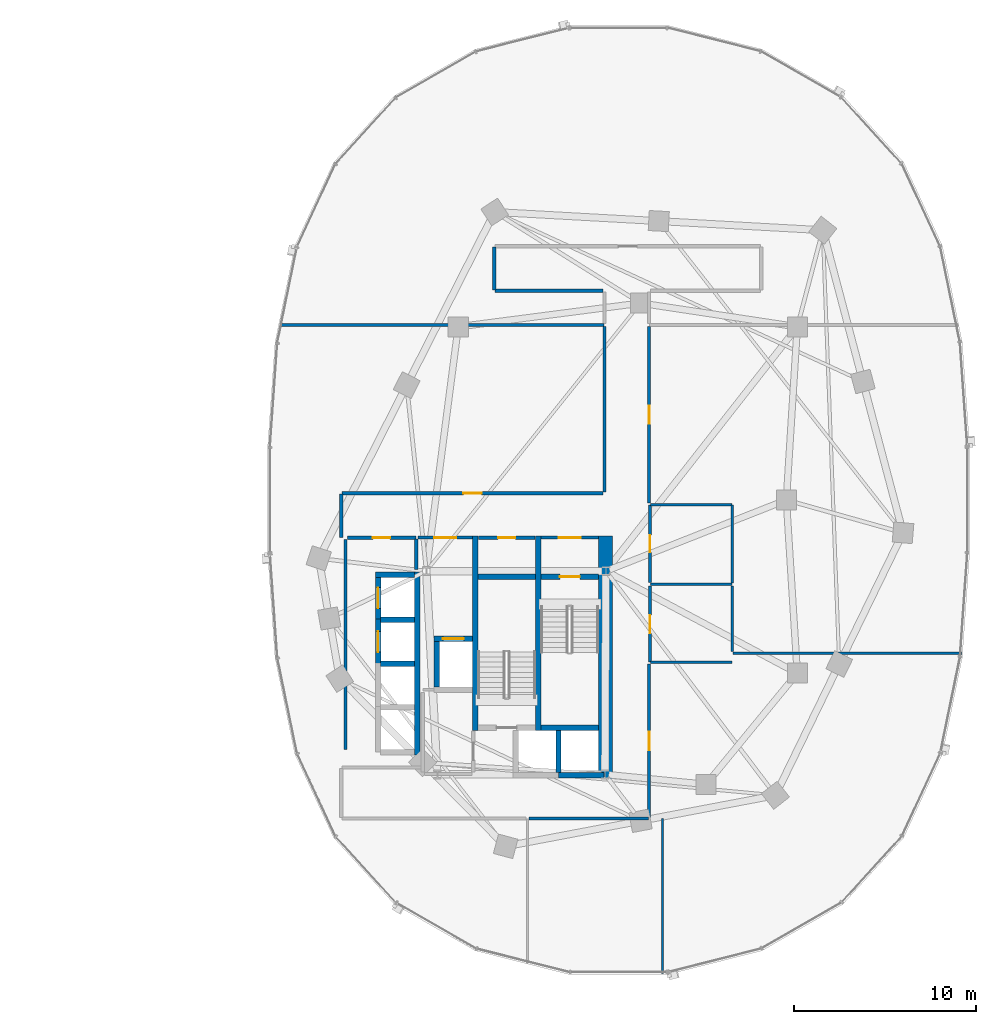
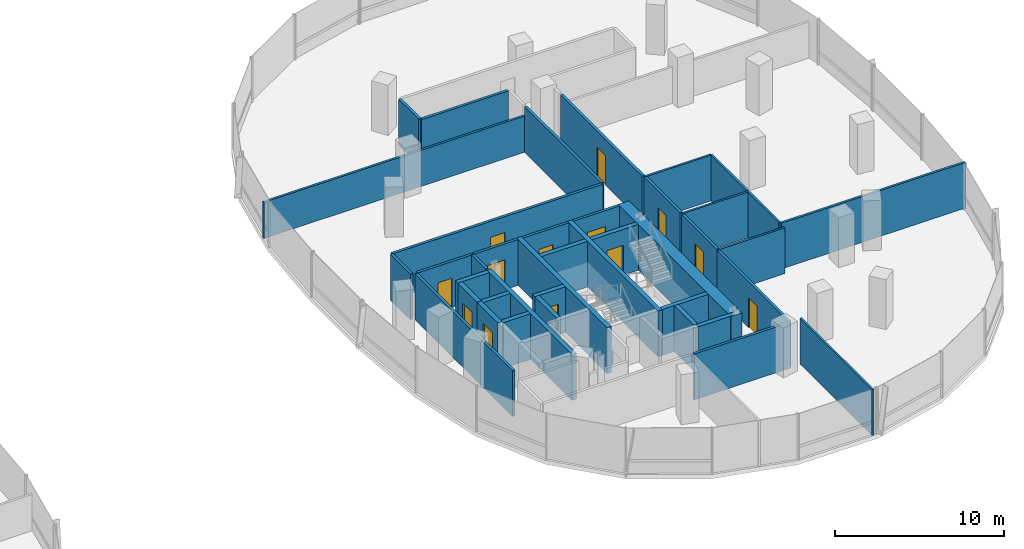
# One storey, part 13 of 21: 40 walls, 13 doors, 13 openings.
"""IFC4 building model written with IfcOpenShell, lengths in metres."""

from ifc_helpers import new_model, si_unit, direction, frame, frame_2d, origin, place, context, subcontext, project, spatial, rectangle, extrude, material, layer, layer_set, type_object, element, fill, save


model = new_model("IFC4")

# Units and contexts
model_context = context("Model", 3, precision=1e-05, world=origin(), true_north=direction((0.0, 1.0)))
body_context = subcontext(model_context, "Body", "Model", "MODEL_VIEW")
ifc_project = project(units=[si_unit("LENGTHUNIT", "METRE"), si_unit("AREAUNIT", "SQUARE_METRE"), si_unit("VOLUMEUNIT", "CUBIC_METRE"), si_unit("PLANEANGLEUNIT", "RADIAN"), si_unit("MASSUNIT", "GRAM", prefix="KILO"), si_unit("THERMODYNAMICTEMPERATUREUNIT", "KELVIN"), si_unit("POWERUNIT", "WATT")], contexts=[model_context])

# Site, building, storey
site_placement = place(None, origin())
site = spatial("IfcSite", under=ifc_project, at=site_placement, CompositionType="ELEMENT")
building_placement = place(site_placement, origin())
building = spatial("IfcBuilding", under=site, at=building_placement, Name="Cundina Bronze Exchange", CompositionType="ELEMENT")
storey_placement = place(building_placement, frame((0.0, 0.0, 107.0)))
storey = spatial("IfcBuildingStorey", under=building, at=storey_placement, Name="L27", CompositionType="ELEMENT", Elevation=107.0)

# Wall
ifc_material_1 = material(Name="Gypsum Fireboard Partition EI120")
ifc_layer_1 = layer(ifc_material_1, 0.179931640625, Name="Gypsum Fireboard Partition EI120")
ifc_layer_set_1 = layer_set([ifc_layer_1], Name="Gypsum Fireboard Partition EI120")
wall_type_1 = type_object("IfcWallType", Name="WL-COR-180", PredefinedType="PARTITIONING", material=ifc_layer_set_1)
wall_1_placement = place(storey_placement, frame((20.889892578125, -3.800048828125, 0.0), z_axis=(0.0, 0.0, 1.0), x_axis=(0.0, 1.0, 0.0)))
element("IfcWall", 1, at=wall_1_placement, inside=storey, type_object=wall_type_1, Name="L27 E Firefighting Lobby Side Wall", PredefinedType="PARTITIONING", context=body_context, shape_type="SweptSolid", body=[
    extrude(rectangle(XDim=1.650146484375, YDim=0.179931640625, at=frame_2d((0.8251953125, 0.0))), origin(), (0.0, 0.0, 1.0), 3.300048828125),
])

# Wall, opening, door
wall_2_placement = place(storey_placement, frame((20.97998046875, -2.06005859375, 0.0), z_axis=(0.0, 0.0, 1.0), x_axis=(1.0, 0.0, 0.0)))
wall_2 = element("IfcWall", 2, at=wall_2_placement, inside=storey, type_object=wall_type_1, Name="L27 E Firefighting Lobby Exit Wall", PredefinedType="PARTITIONING", context=body_context, shape_type="SweptSolid", body=[
    extrude(rectangle(XDim=3.0, YDim=0.179931640625, at=frame_2d((1.5, 0.0))), origin(), (0.0, 0.0, 1.0), 3.300048828125),
])
opening_1_placement = place(wall_2_placement, frame((0.89990234375, 0.0, 0.0)))
opening_1 = element("IfcOpeningElement", 3, at=opening_1_placement, cuts=wall_2, Name="Opening DF-01", PredefinedType="OPENING", context=body_context, shape_type="SweptSolid", body=[
    extrude(rectangle(XDim=1.199951171875, YDim=2.14990234375, at=frame_2d((0.60009765625, 1.074951171875))), frame((0.0, 0.099853515625, 0.0), z_axis=(0.0, -1.0, 0.0), x_axis=(1.0, 0.0, 0.0)), (0.0, 0.0, 1.0), 0.199951171875),
])
ifc_material_2 = material(Name="Steel ASTM A36 Painted", Category="steel")
door_type_1 = type_object("IfcDoorType", Name="DR-FFL-1200", OperationType="NOTDEFINED", PredefinedType="DOOR", material=ifc_material_2)
door_1_placement = place(opening_1_placement, origin())
door_1 = element("IfcDoor", 4, at=door_1_placement, inside=storey, type_object=door_type_1, Name="L27 E Firefighting Lobby Door", OperationType="SINGLE_SWING_LEFT", OverallHeight=2.14990234375, OverallWidth=1.199951171875, PredefinedType="DOOR", context=body_context, shape_type="SweptSolid", body=[
    extrude(rectangle(XDim=1.199951171875, YDim=2.14990234375, at=frame_2d((0.60009765625, 1.074951171875))), frame((0.0, 0.02490234375, 0.0), z_axis=(0.0, -1.0, 0.0), x_axis=(1.0, 0.0, 0.0)), (0.0, 0.0, 1.0), 0.050048828125),
])
fill(opening_1, door_1)

wall_3_placement = place(storey_placement, frame((27.739990234375, -2.06005859375, 0.0), z_axis=(0.0, 0.0, 1.0), x_axis=(1.0, 0.0, 0.0)))
wall_3 = element("IfcWall", 5, at=wall_3_placement, inside=storey, type_object=wall_type_1, Name="L27 E Stair Vestibule Exit Wall", PredefinedType="PARTITIONING", context=body_context, shape_type="SweptSolid", body=[
    extrude(rectangle(XDim=3.159912109375, YDim=0.179931640625, at=frame_2d((1.580078125, 0.0))), origin(), (0.0, 0.0, 1.0), 3.300048828125),
])
opening_2_placement = place(wall_3_placement, frame((0.97998046875, 0.0, 0.0)))
opening_2 = element("IfcOpeningElement", 6, at=opening_2_placement, cuts=wall_3, Name="Opening DF-01", PredefinedType="OPENING", context=body_context, shape_type="SweptSolid", body=[
    extrude(rectangle(XDim=1.199951171875, YDim=2.14990234375, at=frame_2d((0.60009765625, 1.074951171875))), frame((0.0, 0.099853515625, 0.0), z_axis=(0.0, -1.0, 0.0), x_axis=(1.0, 0.0, 0.0)), (0.0, 0.0, 1.0), 0.199951171875),
])
door_2_placement = place(opening_2_placement, origin())
door_2 = element("IfcDoor", 7, at=door_2_placement, inside=storey, type_object=door_type_1, Name="L27 E Stair Vestibule Door", OperationType="SINGLE_SWING_RIGHT", OverallHeight=2.14990234375, OverallWidth=1.199951171875, PredefinedType="DOOR", context=body_context, shape_type="SweptSolid", body=[
    extrude(rectangle(XDim=1.199951171875, YDim=2.14990234375, at=frame_2d((0.60009765625, 1.074951171875))), frame((0.0, 0.02490234375, 0.0), z_axis=(0.0, -1.0, 0.0), x_axis=(1.0, 0.0, 0.0)), (0.0, 0.0, 1.0), 0.050048828125),
])
fill(opening_2, door_2)

# Wall
wall_4_placement = place(storey_placement, frame((17.02001953125, -13.679931640625, 0.0), z_axis=(0.0, 0.0, 1.0), x_axis=(0.0, 1.0, 0.0)))
element("IfcWall", 8, at=wall_4_placement, inside=storey, type_object=wall_type_1, Name="L27 Interior Partition 037", PredefinedType="PARTITIONING", context=body_context, shape_type="SweptSolid", body=[
    extrude(rectangle(XDim=11.510009765625, YDim=0.179931640625, at=frame_2d((5.7548828125, 0.0))), origin(), (0.0, 0.0, 1.0), 3.300048828125),
])

# Wall, opening, door
wall_5_placement = place(storey_placement, frame((17.1201171875, -2.070068359375, 0.0), z_axis=(0.0, 0.0, 1.0), x_axis=(1.0, 0.0, 0.0)))
wall_5 = element("IfcWall", 9, at=wall_5_placement, inside=storey, type_object=wall_type_1, Name="L27 Interior Partition 038", PredefinedType="PARTITIONING", context=body_context, shape_type="SweptSolid", body=[
    extrude(rectangle(XDim=3.75, YDim=0.179931640625, at=frame_2d((1.875, 0.0))), origin(), (0.0, 0.0, 1.0), 3.300048828125),
])
opening_3_placement = place(wall_5_placement, frame((1.39990234375, 0.0, 0.0)))
opening_3 = element("IfcOpeningElement", 10, at=opening_3_placement, cuts=wall_5, Name="Opening DW-01", PredefinedType="OPENING", context=body_context, shape_type="SweptSolid", body=[
    extrude(rectangle(XDim=0.949951171875, YDim=2.10009765625, at=frame_2d((0.47509765625, 1.050048828125))), frame((0.0, 0.099853515625, 0.0), z_axis=(0.0, -1.0, 0.0), x_axis=(1.0, 0.0, 0.0)), (0.0, 0.0, 1.0), 0.199951171875),
])
ifc_material_3 = material(Name="Solid Andean Oak Timber Grade A", Category="wood")
door_type_2 = type_object("IfcDoorType", Name="DR-WC-950", OperationType="NOTDEFINED", PredefinedType="DOOR", material=ifc_material_3)
door_3_placement = place(opening_3_placement, origin())
door_3 = element("IfcDoor", 11, at=door_3_placement, inside=storey, type_object=door_type_2, Name="L27 Interior Door 038", OperationType="SINGLE_SWING_LEFT", OverallHeight=2.10009765625, OverallWidth=0.949951171875, PredefinedType="DOOR", context=body_context, shape_type="SweptSolid", body=[
    extrude(rectangle(XDim=0.949951171875, YDim=2.10009765625, at=frame_2d((0.47509765625, 1.050048828125))), frame((0.0, 0.02490234375, 0.0), z_axis=(0.0, -1.0, 0.0), x_axis=(1.0, 0.0, 0.0)), (0.0, 0.0, 1.0), 0.050048828125),
])
fill(opening_3, door_3)

wall_6_placement = place(storey_placement, frame((24.300048828125, -2.070068359375, 0.0), z_axis=(0.0, 0.0, 1.0), x_axis=(1.0, 0.0, 0.0)))
wall_6 = element("IfcWall", 12, at=wall_6_placement, inside=storey, type_object=wall_type_1, Name="L27 Interior Partition 042", PredefinedType="PARTITIONING", context=body_context, shape_type="SweptSolid", body=[
    extrude(rectangle(XDim=3.119873046875, YDim=0.179931640625, at=frame_2d((1.56005859375, 0.0))), origin(), (0.0, 0.0, 1.0), 3.300048828125),
])
opening_4_placement = place(wall_6_placement, frame((1.0849609375, 0.0, 0.0)))
opening_4 = element("IfcOpeningElement", 13, at=opening_4_placement, cuts=wall_6, Name="Opening DW-01", PredefinedType="OPENING", context=body_context, shape_type="SweptSolid", body=[
    extrude(rectangle(XDim=0.949951171875, YDim=2.10009765625, at=frame_2d((0.47509765625, 1.050048828125))), frame((0.0, 0.099853515625, 0.0), z_axis=(0.0, -1.0, 0.0), x_axis=(1.0, 0.0, 0.0)), (0.0, 0.0, 1.0), 0.199951171875),
])
door_4_placement = place(opening_4_placement, origin())
door_4 = element("IfcDoor", 14, at=door_4_placement, inside=storey, type_object=door_type_2, Name="L27 Interior Door 042", OperationType="SINGLE_SWING_RIGHT", OverallHeight=2.10009765625, OverallWidth=0.949951171875, PredefinedType="DOOR", context=body_context, shape_type="SweptSolid", body=[
    extrude(rectangle(XDim=0.949951171875, YDim=2.10009765625, at=frame_2d((0.47509765625, 1.050048828125))), frame((0.0, 0.02490234375, 0.0), z_axis=(0.0, -1.0, 0.0), x_axis=(1.0, 0.0, 0.0)), (0.0, 0.0, 1.0), 0.050048828125),
])
fill(opening_4, door_4)

wall_7_placement = place(storey_placement, frame((33.719970703125, -4.530029296875, 0.0), z_axis=(0.0, 0.0, 1.0), x_axis=(0.0, 1.0, 0.0)))
wall_7 = element("IfcWall", 15, at=wall_7_placement, inside=storey, type_object=wall_type_1, Name="L27 Interior Partition 049", PredefinedType="PARTITIONING", context=body_context, shape_type="SweptSolid", body=[
    extrude(rectangle(XDim=4.260009765625, YDim=0.179931640625, at=frame_2d((2.1298828125, 0.0))), origin(), (0.0, 0.0, 1.0), 3.300048828125),
])
opening_5_placement = place(wall_7_placement, frame((1.655029296875, 0.0, 0.0)))
opening_5 = element("IfcOpeningElement", 16, at=opening_5_placement, cuts=wall_7, Name="Opening DW-01", PredefinedType="OPENING", context=body_context, shape_type="SweptSolid", body=[
    extrude(rectangle(XDim=0.949951171875, YDim=2.10009765625, at=frame_2d((0.47509765625, 1.050048828125))), frame((0.0, 0.099853515625, 0.0), z_axis=(0.0, -1.0, 0.0), x_axis=(1.0, 0.0, 0.0)), (0.0, 0.0, 1.0), 0.199951171875),
])
door_5_placement = place(opening_5_placement, origin())
door_5 = element("IfcDoor", 17, at=door_5_placement, inside=storey, type_object=door_type_2, Name="L27 Interior Door 049", OperationType="SINGLE_SWING_LEFT", OverallHeight=2.10009765625, OverallWidth=0.949951171875, PredefinedType="DOOR", context=body_context, shape_type="SweptSolid", body=[
    extrude(rectangle(XDim=0.949951171875, YDim=2.10009765625, at=frame_2d((0.47509765625, 1.050048828125))), frame((0.0, 0.02490234375, 0.0), z_axis=(0.0, -1.0, 0.0), x_axis=(1.0, 0.0, 0.0)), (0.0, 0.0, 1.0), 0.050048828125),
])
fill(opening_5, door_5)

wall_8_placement = place(storey_placement, frame((33.719970703125, -8.889892578125, 0.0), z_axis=(0.0, 0.0, 1.0), x_axis=(0.0, 1.0, 0.0)))
wall_8 = element("IfcWall", 18, at=wall_8_placement, inside=storey, type_object=wall_type_1, Name="L27 Interior Partition 050", PredefinedType="PARTITIONING", context=body_context, shape_type="SweptSolid", body=[
    extrude(rectangle(XDim=4.159912109375, YDim=0.179931640625, at=frame_2d((2.080078125, 0.0))), origin(), (0.0, 0.0, 1.0), 3.300048828125),
])
opening_6_placement = place(wall_8_placement, frame((1.580078125, 0.0, 0.0)))
opening_6 = element("IfcOpeningElement", 19, at=opening_6_placement, cuts=wall_8, Name="Opening DO-01", PredefinedType="OPENING", context=body_context, shape_type="SweptSolid", body=[
    extrude(rectangle(XDim=1.0, YDim=2.14990234375, at=frame_2d((0.5, 1.074951171875))), frame((0.0, 0.099853515625, 0.0), z_axis=(0.0, -1.0, 0.0), x_axis=(1.0, 0.0, 0.0)), (0.0, 0.0, 1.0), 0.199951171875),
])
door_type_3 = type_object("IfcDoorType", Name="DR-OFF-1000", OperationType="NOTDEFINED", PredefinedType="DOOR", material=ifc_material_3)
door_6_placement = place(opening_6_placement, origin())
door_6 = element("IfcDoor", 20, at=door_6_placement, inside=storey, type_object=door_type_3, Name="L27 Interior Door 050", OperationType="SINGLE_SWING_LEFT", OverallHeight=2.14990234375, OverallWidth=1.0, PredefinedType="DOOR", context=body_context, shape_type="SweptSolid", body=[
    extrude(rectangle(XDim=1.0, YDim=2.14990234375, at=frame_2d((0.5, 1.074951171875))), frame((0.0, 0.02490234375, 0.0), z_axis=(0.0, -1.0, 0.0), x_axis=(1.0, 0.0, 0.0)), (0.0, 0.0, 1.0), 0.050048828125),
])
fill(opening_6, door_6)

wall_9_placement = place(storey_placement, frame((33.669921875, -17.428466796875, 0.0), z_axis=(0.0, 0.0, 1.0), x_axis=(0.0, 1.0, 0.0)))
wall_9 = element("IfcWall", 21, at=wall_9_placement, inside=storey, type_object=wall_type_1, Name="L27 Interior Partition 056", PredefinedType="PARTITIONING", context=body_context, shape_type="SweptSolid", body=[
    extrude(rectangle(XDim=8.427001953125, YDim=0.179931640625, at=frame_2d((4.21337890625, 0.0))), origin(), (0.0, 0.0, 1.0), 3.300048828125),
])
opening_7_placement = place(wall_9_placement, frame((3.71337890625, 0.0, 0.0)))
opening_7 = element("IfcOpeningElement", 22, at=opening_7_placement, cuts=wall_9, Name="Opening DO-01", PredefinedType="OPENING", context=body_context, shape_type="SweptSolid", body=[
    extrude(rectangle(XDim=1.0, YDim=2.14990234375, at=frame_2d((0.5, 1.074951171875))), frame((0.0, 0.099853515625, 0.0), z_axis=(0.0, -1.0, 0.0), x_axis=(1.0, 0.0, 0.0)), (0.0, 0.0, 1.0), 0.199951171875),
])
door_7_placement = place(opening_7_placement, origin())
door_7 = element("IfcDoor", 23, at=door_7_placement, inside=storey, type_object=door_type_3, Name="L27 Interior Door 056", OperationType="SINGLE_SWING_LEFT", OverallHeight=2.14990234375, OverallWidth=1.0, PredefinedType="DOOR", context=body_context, shape_type="SweptSolid", body=[
    extrude(rectangle(XDim=1.0, YDim=2.14990234375, at=frame_2d((0.5, 1.074951171875))), frame((0.0, 0.02490234375, 0.0), z_axis=(0.0, -1.0, 0.0), x_axis=(1.0, 0.0, 0.0)), (0.0, 0.0, 1.0), 0.050048828125),
])
fill(opening_7, door_7)

# Wall
wall_10_placement = place(storey_placement, frame((27.090087890625, -17.469970703125, 0.0), z_axis=(0.0, 0.0, 1.0), x_axis=(1.0, 0.0, 0.0)))
element("IfcWall", 24, at=wall_10_placement, inside=storey, type_object=wall_type_1, Name="L27 Interior Partition 057", PredefinedType="PARTITIONING", context=body_context, shape_type="SweptSolid", body=[
    extrude(rectangle(XDim=6.538330078125, YDim=0.179931640625, at=frame_2d((3.26904296875, 0.0))), origin(), (0.0, 0.0, 1.0), 3.300048828125),
])

# Wall, opening, door
wall_11_placement = place(storey_placement, frame((31.14990234375, 0.3701171875, 0.0), z_axis=(0.0, 0.0, 1.0), x_axis=(-1.0, 0.0, 0.0)))
wall_11 = element("IfcWall", 25, at=wall_11_placement, inside=storey, type_object=wall_type_1, Name="L27 Interior Partition 058", PredefinedType="PARTITIONING", context=body_context, shape_type="SweptSolid", body=[
    extrude(rectangle(XDim=14.328369140625, YDim=0.179931640625, at=frame_2d((7.1640625, 0.0))), origin(), (0.0, 0.0, 1.0), 3.300048828125),
])
opening_8_placement = place(wall_11_placement, frame((6.664306640625, 0.0, 0.0)))
opening_8 = element("IfcOpeningElement", 26, at=opening_8_placement, cuts=wall_11, Name="Opening DO-01", PredefinedType="OPENING", context=body_context, shape_type="SweptSolid", body=[
    extrude(rectangle(XDim=1.0, YDim=2.14990234375, at=frame_2d((0.5, 1.074951171875))), frame((0.0, 0.099853515625, 0.0), z_axis=(0.0, -1.0, 0.0), x_axis=(1.0, 0.0, 0.0)), (0.0, 0.0, 1.0), 0.199951171875),
])
door_8_placement = place(opening_8_placement, origin())
door_8 = element("IfcDoor", 27, at=door_8_placement, inside=storey, type_object=door_type_3, Name="L27 Interior Door 058", OperationType="SINGLE_SWING_LEFT", OverallHeight=2.14990234375, OverallWidth=1.0, PredefinedType="DOOR", context=body_context, shape_type="SweptSolid", body=[
    extrude(rectangle(XDim=1.0, YDim=2.14990234375, at=frame_2d((0.5, 1.074951171875))), frame((0.0, 0.02490234375, 0.0), z_axis=(0.0, -1.0, 0.0), x_axis=(1.0, 0.0, 0.0)), (0.0, 0.0, 1.0), 0.050048828125),
])
fill(opening_8, door_8)

# Walls
wall_12_placement = place(storey_placement, frame((31.22998046875, 9.510009765625, 0.0), z_axis=(0.0, 0.0, 1.0), x_axis=(0.0, -1.0, 0.0)))
element("IfcWall", 28, at=wall_12_placement, inside=storey, type_object=wall_type_1, Name="L27 Interior Partition 060", PredefinedType="PARTITIONING", context=body_context, shape_type="SweptSolid", body=[
    extrude(rectangle(XDim=9.06005859375, YDim=0.179931640625, at=frame_2d((4.530029296875, 0.0))), origin(), (0.0, 0.0, 1.0), 3.300048828125),
])
wall_13_placement = place(storey_placement, frame((16.780029296875, 0.32861328125, 0.0), z_axis=(0.0, 0.0, 1.0), x_axis=(0.0, -1.0, 0.0)))
element("IfcWall", 29, at=wall_13_placement, inside=storey, type_object=wall_type_1, Name="L27 Interior Partition 063", PredefinedType="PARTITIONING", context=body_context, shape_type="SweptSolid", body=[
    extrude(rectangle(XDim=2.38720703125, YDim=0.179931640625, at=frame_2d((1.193603515625, 0.0))), origin(), (0.0, 0.0, 1.0), 3.300048828125),
])

# Wall, opening, door
wall_14_placement = place(storey_placement, frame((33.669921875, -0.15869140625, 0.0), z_axis=(0.0, 0.0, 1.0), x_axis=(0.0, 1.0, 0.0)))
wall_14 = element("IfcWall", 30, at=wall_14_placement, inside=storey, type_object=wall_type_1, Name="L27 Interior Partition 064", PredefinedType="PARTITIONING", context=body_context, shape_type="SweptSolid", body=[
    extrude(rectangle(XDim=9.668701171875, YDim=0.179931640625, at=frame_2d((4.83447265625, 0.0))), origin(), (0.0, 0.0, 1.0), 3.300048828125),
])
opening_9_placement = place(wall_14_placement, frame((4.334228515625, 0.0, 0.0)))
opening_9 = element("IfcOpeningElement", 31, at=opening_9_placement, cuts=wall_14, Name="Opening DO-01", PredefinedType="OPENING", context=body_context, shape_type="SweptSolid", body=[
    extrude(rectangle(XDim=1.0, YDim=2.14990234375, at=frame_2d((0.5, 1.074951171875))), frame((0.0, 0.099853515625, 0.0), z_axis=(0.0, -1.0, 0.0), x_axis=(1.0, 0.0, 0.0)), (0.0, 0.0, 1.0), 0.199951171875),
])
door_9_placement = place(opening_9_placement, origin())
door_9 = element("IfcDoor", 32, at=door_9_placement, inside=storey, type_object=door_type_3, Name="L27 Interior Door 064", OperationType="SINGLE_SWING_RIGHT", OverallHeight=2.14990234375, OverallWidth=1.0, PredefinedType="DOOR", context=body_context, shape_type="SweptSolid", body=[
    extrude(rectangle(XDim=1.0, YDim=2.14990234375, at=frame_2d((0.5, 1.074951171875))), frame((0.0, 0.02490234375, 0.0), z_axis=(0.0, -1.0, 0.0), x_axis=(1.0, 0.0, 0.0)), (0.0, 0.0, 1.0), 0.050048828125),
])
fill(opening_9, door_9)

# Walls
wall_15_placement = place(storey_placement, frame((25.221435546875, 11.47998046875, 0.0), z_axis=(0.0, 0.0, 1.0), x_axis=(1.0, 0.0, 0.0)))
element("IfcWall", 33, at=wall_15_placement, inside=storey, type_object=wall_type_1, Name="L27 Interior Partition 067", PredefinedType="PARTITIONING", context=body_context, shape_type="SweptSolid", body=[
    extrude(rectangle(XDim=5.928466796875, YDim=0.179931640625, at=frame_2d((2.96435546875, 0.0))), origin(), (0.0, 0.0, 1.0), 3.300048828125),
])
wall_16_placement = place(storey_placement, frame((25.179931640625, 13.87841796875, 0.0), z_axis=(0.0, 0.0, 1.0), x_axis=(0.0, -1.0, 0.0)))
element("IfcWall", 34, at=wall_16_placement, inside=storey, type_object=wall_type_1, Name="L27 Interior Partition 069", PredefinedType="PARTITIONING", context=body_context, shape_type="SweptSolid", body=[
    extrude(rectangle(XDim=2.35693359375, YDim=0.179931640625, at=frame_2d((1.178466796875, 0.0))), origin(), (0.0, 0.0, 1.0), 3.300048828125),
])
ifc_material_4 = material(Name="Concrete C60/75", Category="concrete")
ifc_layer_2 = layer(ifc_material_4, 0.75, Name="Concrete C60/75", Category="concrete")
ifc_layer_set_2 = layer_set([ifc_layer_2], Name="Concrete C60/75")
wall_type_2 = type_object("IfcWallType", Name="WL-CORE-750", PredefinedType="SHEAR", material=ifc_layer_set_2)
wall_17_placement = place(storey_placement, frame((31.27490234375, -15.300048828125, 0.0), z_axis=(0.0, 0.0, 1.0), x_axis=(0.0, 1.0, 0.0)))
element("IfcWall", 35, at=wall_17_placement, inside=storey, type_object=wall_type_2, Name="L27 E Primary Core Shear Spine Wall", PredefinedType="SHEAR", context=body_context, shape_type="SweptSolid", body=[
    extrude(rectangle(XDim=13.330078125, YDim=0.75, at=frame_2d((6.6650390625, 0.0))), origin(), (0.0, 0.0, 1.0), 3.300048828125),
])
ifc_material_5 = material(Name="Gypsum Acoustic Partition EI60")
ifc_layer_3 = layer(ifc_material_5, 0.125, Name="Gypsum Acoustic Partition EI60")
ifc_layer_set_3 = layer_set([ifc_layer_3], Name="Gypsum Acoustic Partition EI60")
wall_type_3 = type_object("IfcWallType", Name="WL-OFF-125", PredefinedType="PARTITIONING", material=ifc_layer_set_3)
wall_18_placement = place(storey_placement, frame((34.39990234375, -25.985107421875, 0.0), z_axis=(0.0, 0.0, 1.0), x_axis=(0.0, 1.0, 0.0)))
element("IfcWall", 36, at=wall_18_placement, inside=storey, type_object=wall_type_3, Name="L27 Interior Partition 055", PredefinedType="PARTITIONING", context=body_context, shape_type="SweptSolid", body=[
    extrude(rectangle(XDim=8.51513671875, YDim=0.125, at=frame_2d((4.257568359375, 0.0))), origin(), (0.0, 0.0, 1.0), 3.300048828125),
])
ifc_material_6 = material(Name="Concrete C50/60", Category="concrete")
ifc_layer_4 = layer(ifc_material_6, 0.300048828125, Name="Concrete C50/60", Category="concrete")
ifc_layer_set_4 = layer_set([ifc_layer_4], Name="Concrete C50/60")
wall_type_4 = type_object("IfcWallType", Name="WL-SHFT-300", PredefinedType="SHEAR", material=ifc_layer_set_4)
for number, where, z_axis, x_axis, name in (
    (37, (27.590087890625, -12.64990234375, 0.0), (0.0, 0.0, 1.0), (0.0, 1.0, 0.0), "L27 E Stair Shaft Dividing Shear Wall"),
    (38, (24.1298828125, -12.64990234375, 0.0), (0.0, 0.0, 1.0), (0.0, 1.0, 0.0), "L27 E Stair 2 East Shear Wall"),
):
    element("IfcWall", number, at=place(storey_placement, frame(where, z_axis=z_axis, x_axis=x_axis)), inside=storey, type_object=wall_type_4, Name=name, PredefinedType="SHEAR", context=body_context, shape_type="SweptSolid", body=[
        extrude(rectangle(XDim=10.679931640625, YDim=0.300048828125, at=frame_2d((5.33984375, 0.0))), origin(), (0.0, 0.0, 1.0), 3.300048828125),
    ])

# Wall, opening, door
wall_19_placement = place(storey_placement, frame((27.739990234375, -4.199951171875, 0.0), z_axis=(0.0, 0.0, 1.0), x_axis=(1.0, 0.0, 0.0)))
wall_19 = element("IfcWall", 39, at=wall_19_placement, inside=storey, type_object=wall_type_4, Name="L27 Stair E1 Landing Wall", PredefinedType="SHEAR", context=body_context, shape_type="SweptSolid", body=[
    extrude(rectangle(XDim=3.159912109375, YDim=0.300048828125, at=frame_2d((1.580078125, 0.0))), origin(), (0.0, 0.0, 1.0), 3.300048828125),
])
opening_10_placement = place(wall_19_placement, frame((1.030029296875, 0.0, 0.0)))
opening_10 = element("IfcOpeningElement", 40, at=opening_10_placement, cuts=wall_19, Name="Opening DS-01", PredefinedType="OPENING", context=body_context, shape_type="SweptSolid", body=[
    extrude(rectangle(XDim=1.10009765625, YDim=2.14990234375, at=frame_2d((0.550048828125, 1.074951171875))), frame((0.0, 0.159912109375, 0.0), z_axis=(0.0, -1.0, 0.0), x_axis=(1.0, 0.0, 0.0)), (0.0, 0.0, 1.0), 0.320068359375),
])
door_type_4 = type_object("IfcDoorType", Name="DR-STR-1100", OperationType="NOTDEFINED", PredefinedType="DOOR", material=ifc_material_2)
door_10_placement = place(opening_10_placement, origin())
door_10 = element("IfcDoor", 41, at=door_10_placement, inside=storey, type_object=door_type_4, Name="L27 Smokeproof Stair E1 Door", OperationType="SINGLE_SWING_LEFT", OverallHeight=2.14990234375, OverallWidth=1.10009765625, PredefinedType="DOOR", context=body_context, shape_type="SweptSolid", body=[
    extrude(rectangle(XDim=1.10009765625, YDim=2.14990234375, at=frame_2d((0.550048828125, 1.074951171875))), frame((0.0, 0.02490234375, 0.0), z_axis=(0.0, -1.0, 0.0), x_axis=(1.0, 0.0, 0.0)), (0.0, 0.0, 1.0), 0.050048828125),
])
fill(opening_10, door_10)

# Walls
for number, where, z_axis, x_axis, name in (
    (42, (27.739990234375, -12.5, 0.0), (0.0, 0.0, 1.0), (1.0, 0.0, 0.0), "L27 Stair E1 Far Shaft Wall"),
    (43, (24.280029296875, -4.199951171875, 0.0), (0.0, 0.0, 1.0), (1.0, 0.0, 0.0), "L27 Stair E2 Far Shaft Wall"),
):
    element("IfcWall", number, at=place(storey_placement, frame(where, z_axis=z_axis, x_axis=x_axis)), inside=storey, type_object=wall_type_4, Name=name, PredefinedType="SHEAR", context=body_context, shape_type="SweptSolid", body=[
        extrude(rectangle(XDim=3.159912109375, YDim=0.300048828125, at=frame_2d((1.580078125, 0.0))), origin(), (0.0, 0.0, 1.0), 3.300048828125),
    ])

# Wall, opening, door
wall_20_placement = place(storey_placement, frame((21.8798828125, -7.60009765625, 0.0), z_axis=(0.0, 0.0, 1.0), x_axis=(1.0, 0.0, 0.0)))
wall_20 = element("IfcWall", 44, at=wall_20_placement, inside=storey, type_object=wall_type_4, Name="L27 FFL-E Hoistway Front Wall", PredefinedType="SHEAR", context=body_context, shape_type="SweptSolid", body=[
    extrude(rectangle(XDim=2.10009765625, YDim=0.300048828125, at=frame_2d((1.050048828125, 0.0))), origin(), (0.0, 0.0, 1.0), 3.300048828125),
])
opening_11_placement = place(wall_20_placement, frame((0.47509765625, 0.0, 0.0)))
opening_11 = element("IfcOpeningElement", 45, at=opening_11_placement, cuts=wall_20, Name="Opening LD-01", PredefinedType="OPENING", context=body_context, shape_type="SweptSolid", body=[
    extrude(rectangle(XDim=1.14990234375, YDim=2.199951171875, at=frame_2d((0.574951171875, 1.10009765625))), frame((0.0, 0.159912109375, 0.0), z_axis=(0.0, -1.0, 0.0), x_axis=(1.0, 0.0, 0.0)), (0.0, 0.0, 1.0), 0.320068359375),
])
door_type_5 = type_object("IfcDoorType", Name="DR-LND-1150", OperationType="NOTDEFINED", PredefinedType="TRAPDOOR", material=ifc_material_2)
door_11_placement = place(opening_11_placement, origin())
door_11 = element("IfcDoor", 46, at=door_11_placement, inside=storey, type_object=door_type_5, Name="L27 FFL-E Sliding Landing Door", OperationType="SLIDING_TO_LEFT", OverallHeight=2.199951171875, OverallWidth=1.14990234375, PredefinedType="TRAPDOOR", context=body_context, shape_type="SweptSolid", body=[
    extrude(rectangle(XDim=1.14990234375, YDim=2.199951171875, at=frame_2d((0.574951171875, 1.10009765625))), frame((0.0, 0.02490234375, 0.0), z_axis=(0.0, -1.0, 0.0), x_axis=(1.0, 0.0, 0.0)), (0.0, 0.0, 1.0), 0.050048828125),
])
fill(opening_11, door_11)

# Walls
for number, where, z_axis, x_axis, name in (
    (47, (22.030029296875, -10.25, 0.0), (0.0, 0.0, 1.0), (0.0, 1.0, 0.0), "L27 FFL-E Hoistway Side Wall"),
    (48, (28.699951171875, -15.10009765625, 0.0), (0.0, 0.0, 1.0), (1.0, 0.0, 0.0), "L27 PH-E1 Hoistway Front Wall"),
):
    element("IfcWall", number, at=place(storey_placement, frame(where, z_axis=z_axis, x_axis=x_axis)), inside=storey, type_object=wall_type_4, Name=name, PredefinedType="SHEAR", context=body_context, shape_type="SweptSolid", body=[
        extrude(rectangle(XDim=2.5, YDim=0.300048828125, at=frame_2d((1.25, 0.0))), origin(), (0.0, 0.0, 1.0), 3.300048828125),
    ])
wall_21_placement = place(storey_placement, frame((28.699951171875, -14.949951171875, 0.0), z_axis=(0.0, 0.0, 1.0), x_axis=(0.0, 1.0, 0.0)))
element("IfcWall", 49, at=wall_21_placement, inside=storey, type_object=wall_type_4, Name="L27 PH-E1 Hoistway Divider Wall", PredefinedType="SHEAR", context=body_context, shape_type="SweptSolid", body=[
    extrude(rectangle(XDim=2.300048828125, YDim=0.300048828125, at=frame_2d((1.14990234375, 0.0))), origin(), (0.0, 0.0, 1.0), 3.300048828125),
])
wall_22_placement = place(storey_placement, frame((20.949951171875, -14.0, 0.0), z_axis=(0.0, 0.0, 1.0), x_axis=(0.0, 1.0, 0.0)))
element("IfcWall", 50, at=wall_22_placement, inside=storey, type_object=wall_type_4, Name="L27 E Passenger Bank Hoistway Back Wall", PredefinedType="SHEAR", context=body_context, shape_type="SweptSolid", body=[
    extrude(rectangle(XDim=10.050048828125, YDim=0.300048828125, at=frame_2d((5.02490234375, 0.0))), origin(), (0.0, 0.0, 1.0), 3.300048828125),
])
wall_23_placement = place(storey_placement, frame((18.64990234375, -4.10009765625, 0.0), z_axis=(0.0, 0.0, 1.0), x_axis=(1.0, 0.0, 0.0)))
element("IfcWall", 51, at=wall_23_placement, inside=storey, type_object=wall_type_4, Name="L27 E Passenger Bank North Cap Wall", PredefinedType="SHEAR", context=body_context, shape_type="SweptSolid", body=[
    extrude(rectangle(XDim=2.150146484375, YDim=0.300048828125, at=frame_2d((1.0751953125, 0.0))), origin(), (0.0, 0.0, 1.0), 3.300048828125),
])
for number, where, z_axis, x_axis, name in (
    (52, (18.949951171875, -8.97509765625, 0.0), (0.0, 0.0, 1.0), (1.0, 0.0, 0.0), "L27 E Passenger Hoistway Divider 2"),
    (53, (18.949951171875, -6.574951171875, 0.0), (0.0, 0.0, 1.0), (1.0, 0.0, 0.0), "L27 E Passenger Hoistway Divider 3"),
):
    element("IfcWall", number, at=place(storey_placement, frame(where, z_axis=z_axis, x_axis=x_axis)), inside=storey, type_object=wall_type_4, Name=name, PredefinedType="SHEAR", context=body_context, shape_type="SweptSolid", body=[
        extrude(rectangle(XDim=1.85009765625, YDim=0.300048828125, at=frame_2d((0.925048828125, 0.0))), origin(), (0.0, 0.0, 1.0), 3.300048828125),
    ])

# Wall, opening, door
wall_24_placement = place(storey_placement, frame((18.800048828125, -9.02001953125, 0.0), z_axis=(0.0, 0.0, 1.0), x_axis=(0.0, 1.0, 0.0)))
wall_24 = element("IfcWall", 54, at=wall_24_placement, inside=storey, type_object=wall_type_4, Name="L27 PL-E1 Hoistway Front Wall", PredefinedType="SHEAR", context=body_context, shape_type="SweptSolid", body=[
    extrude(rectangle(XDim=2.489990234375, YDim=0.300048828125, at=frame_2d((1.2451171875, 0.0))), origin(), (0.0, 0.0, 1.0), 3.300048828125),
])
opening_12_placement = place(wall_24_placement, frame((0.669921875, 0.0, 0.0)))
opening_12 = element("IfcOpeningElement", 55, at=opening_12_placement, cuts=wall_24, Name="Opening LD-01", PredefinedType="OPENING", context=body_context, shape_type="SweptSolid", body=[
    extrude(rectangle(XDim=1.14990234375, YDim=2.199951171875, at=frame_2d((0.574951171875, 1.10009765625))), frame((0.0, 0.159912109375, 0.0), z_axis=(0.0, -1.0, 0.0), x_axis=(1.0, 0.0, 0.0)), (0.0, 0.0, 1.0), 0.320068359375),
])
door_12_placement = place(opening_12_placement, origin())
door_12 = element("IfcDoor", 56, at=door_12_placement, inside=storey, type_object=door_type_5, Name="L27 PL-E1 Sliding Landing Door", OperationType="SLIDING_TO_LEFT", OverallHeight=2.199951171875, OverallWidth=1.14990234375, PredefinedType="TRAPDOOR", context=body_context, shape_type="SweptSolid", body=[
    extrude(rectangle(XDim=1.14990234375, YDim=2.199951171875, at=frame_2d((0.574951171875, 1.10009765625))), frame((0.0, 0.02490234375, 0.0), z_axis=(0.0, -1.0, 0.0), x_axis=(1.0, 0.0, 0.0)), (0.0, 0.0, 1.0), 0.050048828125),
])
fill(opening_12, door_12)

wall_25_placement = place(storey_placement, frame((18.800048828125, -6.6201171875, 0.0), z_axis=(0.0, 0.0, 1.0), x_axis=(0.0, 1.0, 0.0)))
wall_25 = element("IfcWall", 57, at=wall_25_placement, inside=storey, type_object=wall_type_4, Name="L27 PL-E2 Hoistway Front Wall", PredefinedType="SHEAR", context=body_context, shape_type="SweptSolid", body=[
    extrude(rectangle(XDim=2.490234375, YDim=0.300048828125, at=frame_2d((1.2451171875, 0.0))), origin(), (0.0, 0.0, 1.0), 3.300048828125),
])
opening_13_placement = place(wall_25_placement, frame((0.669921875, 0.0, 0.0)))
opening_13 = element("IfcOpeningElement", 58, at=opening_13_placement, cuts=wall_25, Name="Opening LD-01", PredefinedType="OPENING", context=body_context, shape_type="SweptSolid", body=[
    extrude(rectangle(XDim=1.14990234375, YDim=2.199951171875, at=frame_2d((0.574951171875, 1.10009765625))), frame((0.0, 0.159912109375, 0.0), z_axis=(0.0, -1.0, 0.0), x_axis=(1.0, 0.0, 0.0)), (0.0, 0.0, 1.0), 0.320068359375),
])
door_13_placement = place(opening_13_placement, origin())
door_13 = element("IfcDoor", 59, at=door_13_placement, inside=storey, type_object=door_type_5, Name="L27 PL-E2 Sliding Landing Door", OperationType="SLIDING_TO_LEFT", OverallHeight=2.199951171875, OverallWidth=1.14990234375, PredefinedType="TRAPDOOR", context=body_context, shape_type="SweptSolid", body=[
    extrude(rectangle(XDim=1.14990234375, YDim=2.199951171875, at=frame_2d((0.574951171875, 1.10009765625))), frame((0.0, 0.02490234375, 0.0), z_axis=(0.0, -1.0, 0.0), x_axis=(1.0, 0.0, 0.0)), (0.0, 0.0, 1.0), 0.050048828125),
])
fill(opening_13, door_13)

# Walls
ifc_layer_5 = layer(ifc_material_5, 0.14990234375, Name="Gypsum Acoustic Partition EI60")
ifc_layer_set_5 = layer_set([ifc_layer_5], Name="Gypsum Acoustic Partition EI60")
wall_type_5 = type_object("IfcWallType", Name="WL-TEN-150", PredefinedType="PARTITIONING", material=ifc_layer_set_5)
wall_26_placement = place(storey_placement, frame((13.390380859375, 9.60009765625, 0.0), z_axis=(0.0, 0.0, 1.0), x_axis=(1.0, 0.0, 0.0)))
element("IfcWall", 60, at=wall_26_placement, inside=storey, type_object=wall_type_5, Name="L27 Interior Partition 051", PredefinedType="PARTITIONING", context=body_context, shape_type="SweptSolid", body=[
    extrude(rectangle(XDim=17.8095703125, YDim=0.14990234375, at=frame_2d((8.90478515625, 0.0))), origin(), (0.0, 0.0, 1.0), 2.60498046875),
])
wall_27_placement = place(storey_placement, frame((38.27001953125, -8.39990234375, 0.0), z_axis=(0.0, 0.0, 1.0), x_axis=(1.0, 0.0, 0.0)))
element("IfcWall", 61, at=wall_27_placement, inside=storey, type_object=wall_type_5, Name="L27 Interior Partition 053", PredefinedType="PARTITIONING", context=body_context, shape_type="SweptSolid", body=[
    extrude(rectangle(XDim=12.552734375, YDim=0.14990234375, at=frame_2d((6.2763671875, 0.0))), origin(), (0.0, 0.0, 1.0), 3.300048828125),
])
ifc_material_7 = material(Name="Moisture-Resistant Masonry Block Grade M15", Category="masonry")
ifc_layer_6 = layer(ifc_material_7, 0.139892578125, Name="Moisture-Resistant Masonry Block Grade M15", Category="masonry")
ifc_layer_set_6 = layer_set([ifc_layer_6], Name="Moisture-Resistant Masonry Block Grade M15")
wall_type_6 = type_object("IfcWallType", Name="WL-WET-140", PredefinedType="PARTITIONING", material=ifc_layer_set_6)
wall_28_placement = place(storey_placement, frame((38.239990234375, -8.31494140625, 0.0), z_axis=(0.0, 0.0, 1.0), x_axis=(0.0, 1.0, 0.0)))
element("IfcWall", 62, at=wall_28_placement, inside=storey, type_object=wall_type_6, Name="L27 Interior Partition 044", PredefinedType="PARTITIONING", context=body_context, shape_type="SweptSolid", body=[
    extrude(rectangle(XDim=3.599853515625, YDim=0.139892578125, at=frame_2d((1.7998046875, 0.0))), origin(), (0.0, 0.0, 1.0), 3.300048828125),
])
wall_29_placement = place(storey_placement, frame((38.239990234375, -4.544921875, 0.0), z_axis=(0.0, 0.0, 1.0), x_axis=(0.0, 1.0, 0.0)))
element("IfcWall", 63, at=wall_29_placement, inside=storey, type_object=wall_type_6, Name="L27 Interior Partition 045", PredefinedType="PARTITIONING", context=body_context, shape_type="SweptSolid", body=[
    extrude(rectangle(XDim=4.27490234375, YDim=0.139892578125, at=frame_2d((2.137451171875, 0.0))), origin(), (0.0, 0.0, 1.0), 3.300048828125),
])
for number, where, z_axis, x_axis, name in (
    (64, (33.739990234375, -0.25, 0.0), (0.0, 0.0, 1.0), (1.0, 0.0, 0.0), "L27 Interior Partition 046"),
    (65, (33.739990234375, -4.6298828125, 0.0), (0.0, 0.0, 1.0), (1.0, 0.0, 0.0), "L27 Interior Partition 047"),
    (66, (33.739990234375, -8.909912109375, 0.0), (0.0, 0.0, 1.0), (1.0, 0.0, 0.0), "L27 Interior Partition 048"),
):
    element("IfcWall", number, at=place(storey_placement, frame(where, z_axis=z_axis, x_axis=x_axis)), inside=storey, type_object=wall_type_6, Name=name, PredefinedType="PARTITIONING", context=body_context, shape_type="SweptSolid", body=[
        extrude(rectangle(XDim=4.47998046875, YDim=0.139892578125, at=frame_2d((2.239990234375, 0.0))), origin(), (0.0, 0.0, 1.0), 3.300048828125),
    ])

save(model, "model.ifc")
